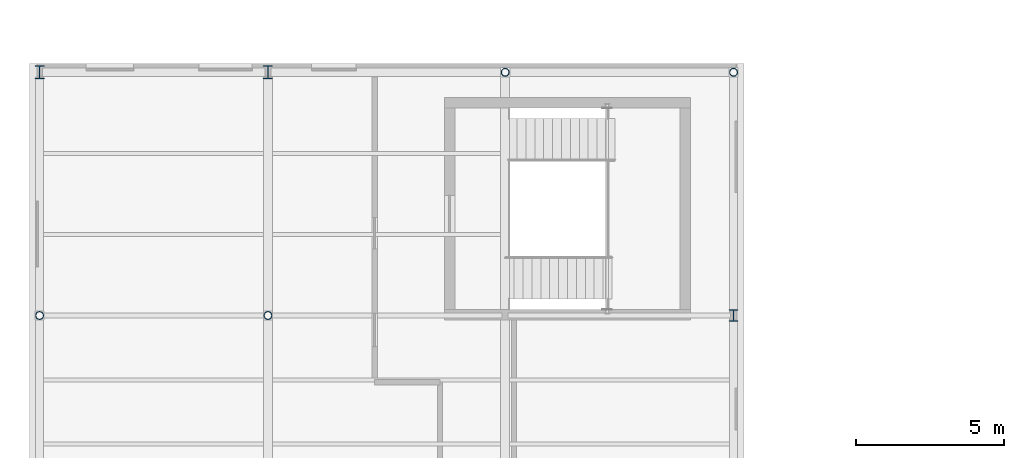
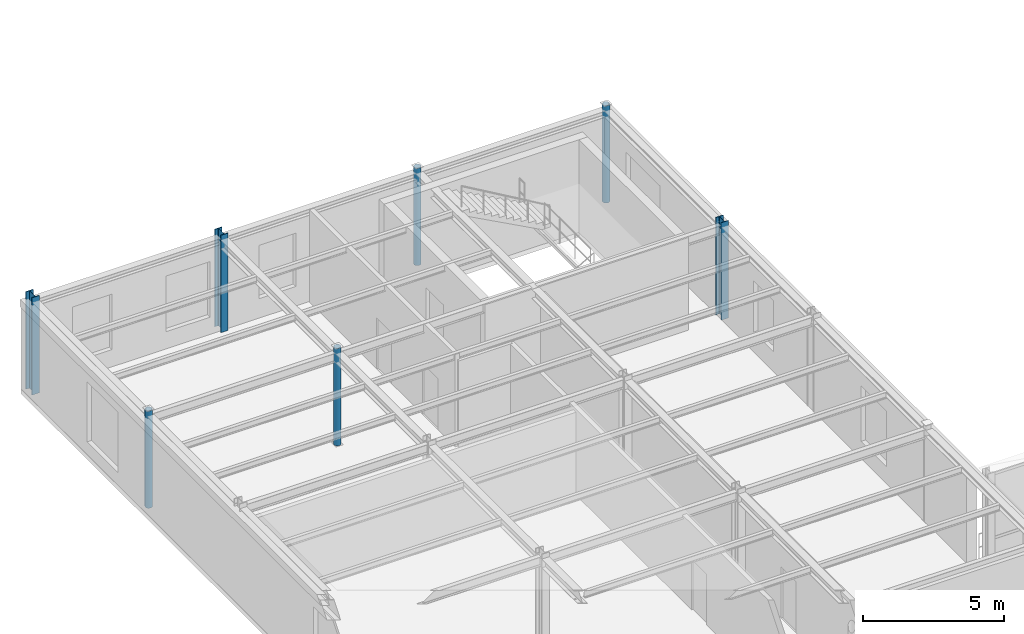
# One storey, part 7 of 52: 7 columns.
"""IFC4 building model written with IfcOpenShell, lengths in metres."""

from ifc_helpers import new_model, si_unit, direction, frame, origin, origin_2d, place, context, subcontext, project, spatial, hollow_circle, i_section, extrude, material, material_profile, profile_set, type_object, element, save


model = new_model("IFC4")

# Units and contexts
model_context = context("Model", 3, precision=1e-05, world=origin(), true_north=direction((0.0, 1.0)))
body_context = subcontext(model_context, "Body", "Model", "MODEL_VIEW")
ifc_project = project(units=[si_unit("LENGTHUNIT", "METRE"), si_unit("AREAUNIT", "SQUARE_METRE"), si_unit("VOLUMEUNIT", "CUBIC_METRE"), si_unit("PLANEANGLEUNIT", "RADIAN"), si_unit("MASSUNIT", "GRAM", prefix="KILO"), si_unit("THERMODYNAMICTEMPERATUREUNIT", "KELVIN"), si_unit("POWERUNIT", "WATT")], contexts=[model_context])

# Site, building, storey
site_placement = place(None, origin())
site = spatial("IfcSite", under=ifc_project, at=site_placement, CompositionType="ELEMENT")
building_placement = place(site_placement, origin())
building = spatial("IfcBuilding", under=site, at=building_placement, Name="Solvatero Civic Police Headquarters", CompositionType="ELEMENT")
storey_placement = place(building_placement, frame((0.0, 0.0, 13.5)))
storey = spatial("IfcBuildingStorey", under=building, at=storey_placement, Name="L03", CompositionType="ELEMENT", Elevation=13.5)

# Columns
ifc_material = material(Name="Steel S355", Category="steel")
ifc_material_profile_1 = material_profile(ifc_material, hollow_circle(Radius=0.136474609375, WallThickness=0.012451171875, at=origin_2d()), Name="CHS 273.0x12.5")
ifc_profile_set_1 = profile_set([ifc_material_profile_1], Name="Steel S355")
column_type_1 = type_object("IfcColumnType", Name="COL-ST-CHS273", PredefinedType="COLUMN", material=ifc_profile_set_1)
for number, where, z_axis, x_axis, name in (
    (1, (4.800048828125, 75.0, 0.0), (0.0, 0.0, 1.0), (1.0, 0.0, 0.0), "Column V6-X1Y5 L03"),
    (2, (12.5, 75.0, 0.0), (0.0, 0.0, 1.0), (1.0, 0.0, 0.0), "Column V6-X2Y5 L03"),
    (3, (20.5, 83.199951171875, 0.0), (0.0, 0.0, 1.0), (1.0, 0.0, 0.0), "Column V6-X3Y6 L03"),
    (4, (28.199951171875, 83.199951171875, 0.0), (0.0, 0.0, 1.0), (1.0, 0.0, 0.0), "Column V6-X4Y6 L03"),
):
    element("IfcColumn", number, at=place(storey_placement, frame(where, z_axis=z_axis, x_axis=x_axis)), inside=storey, type_object=column_type_1, Name=name, PredefinedType="COLUMN", context=body_context, shape_type="SweptSolid", body=[
        extrude(hollow_circle(Radius=0.136474609375, WallThickness=0.012451171875, at=origin_2d()), origin(), (0.0, 0.0, 1.0), 4.199951171875),
    ])
ifc_material_profile_2 = material_profile(ifc_material, i_section(OverallWidth=0.300048828125, OverallDepth=0.39990234375, WebThickness=0.013427734375, FlangeThickness=0.02392578125, FilletRadius=0.027099609375, at=origin_2d()), Name="HEB 400")
ifc_profile_set_2 = profile_set([ifc_material_profile_2], Name="Steel S355")
column_type_2 = type_object("IfcColumnType", Name="COL-ST-HEB400", PredefinedType="COLUMN", material=ifc_profile_set_2)
column_placement = place(storey_placement, frame((28.199951171875, 75.0, 0.0), z_axis=(0.0, 0.0, 1.0), x_axis=(1.0, 0.0, 0.0)))
element("IfcColumn", 5, at=column_placement, inside=storey, type_object=column_type_2, Name="Column V6-X4Y5 L03", PredefinedType="COLUMN", context=body_context, shape_type="SweptSolid", body=[
    extrude(i_section(OverallWidth=0.300048828125, OverallDepth=0.39990234375, WebThickness=0.013427734375, FlangeThickness=0.02392578125, FilletRadius=0.027099609375, at=origin_2d()), origin(), (0.0, 0.0, 1.0), 4.199951171875),
])
ifc_material_profile_3 = material_profile(ifc_material, i_section(OverallWidth=0.300048828125, OverallDepth=0.449951171875, WebThickness=0.013916015625, FlangeThickness=0.02587890625, FilletRadius=0.027099609375, at=origin_2d()), Name="HEB 450")
ifc_profile_set_3 = profile_set([ifc_material_profile_3], Name="Steel S355")
column_type_3 = type_object("IfcColumnType", Name="COL-ST-HEB450", PredefinedType="COLUMN", material=ifc_profile_set_3)
for number, where, z_axis, x_axis, name in (
    (6, (4.800048828125, 83.199951171875, 0.0), (0.0, 0.0, 1.0), (1.0, 0.0, 0.0), "Column V6-X1Y6 L03"),
    (7, (12.5, 83.199951171875, 0.0), (0.0, 0.0, 1.0), (1.0, 0.0, 0.0), "Column V6-X2Y6 L03"),
):
    element("IfcColumn", number, at=place(storey_placement, frame(where, z_axis=z_axis, x_axis=x_axis)), inside=storey, type_object=column_type_3, Name=name, PredefinedType="COLUMN", context=body_context, shape_type="SweptSolid", body=[
        extrude(i_section(OverallWidth=0.300048828125, OverallDepth=0.449951171875, WebThickness=0.013916015625, FlangeThickness=0.02587890625, FilletRadius=0.027099609375, at=origin_2d()), origin(), (0.0, 0.0, 1.0), 4.199951171875),
    ])

save(model, "model.ifc")
